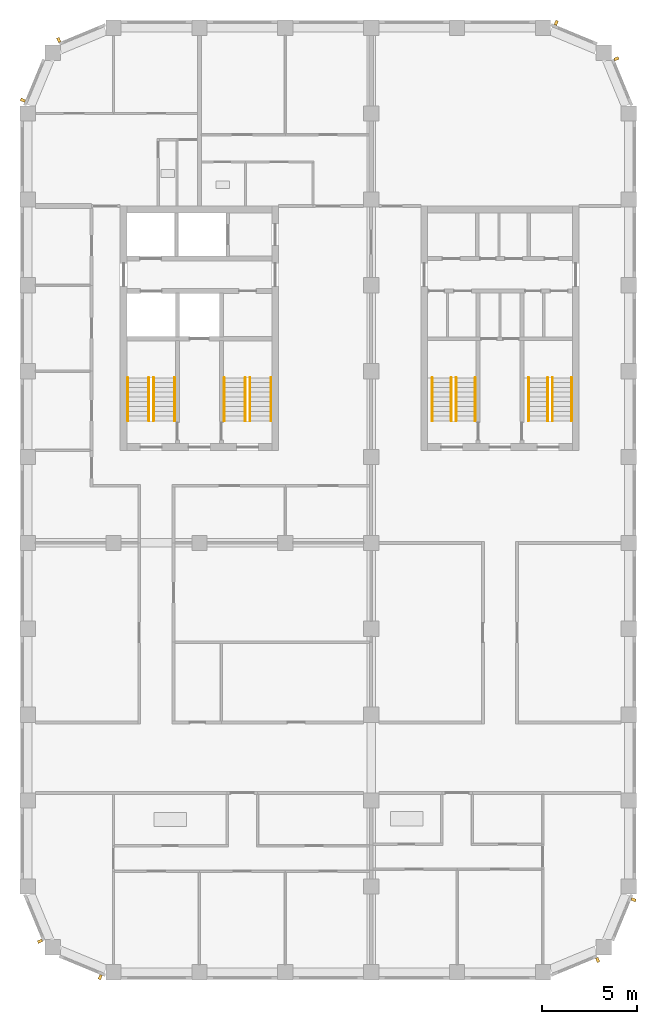
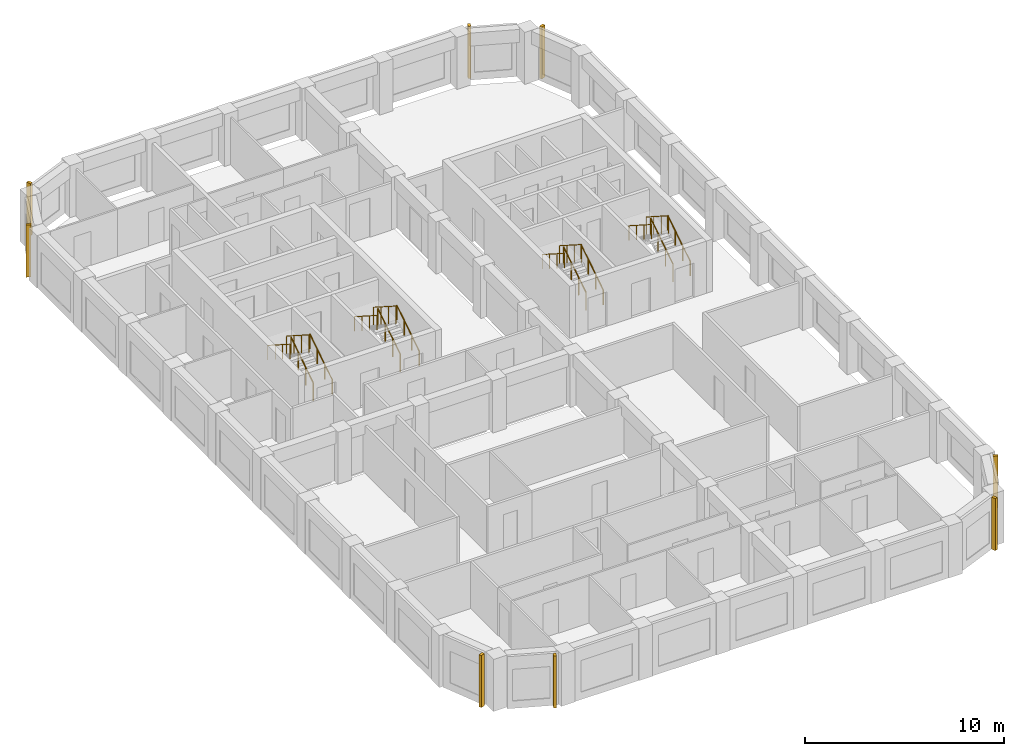
# One storey, part 9 of 10: 16 railings, 8 shading devices.
"""IFC4 building model written with IfcOpenShell, lengths in metres."""

from ifc_helpers import new_model, si_unit, direction, frame, origin, origin_2d, place, context, subcontext, project, spatial, rectangle, circle, extrude, material, type_object, element, save


model = new_model("IFC4")

# Units and contexts
model_context = context("Model", 3, precision=1e-05, world=origin(), true_north=direction((0.0, 1.0)))
body_context = subcontext(model_context, "Body", "Model", "MODEL_VIEW")
ifc_project = project(units=[si_unit("LENGTHUNIT", "METRE"), si_unit("AREAUNIT", "SQUARE_METRE"), si_unit("VOLUMEUNIT", "CUBIC_METRE"), si_unit("PLANEANGLEUNIT", "RADIAN"), si_unit("MASSUNIT", "GRAM", prefix="KILO")], contexts=[model_context])

# Site, building, storey
site_placement = place(None, origin())
site = spatial("IfcSite", under=ifc_project, at=site_placement, CompositionType="ELEMENT")
building_placement = place(site_placement, origin())
building = spatial("IfcBuilding", under=site, at=building_placement, Name="Girih Gate Residences", CompositionType="ELEMENT")
storey_placement = place(building_placement, frame((0.0, 0.0, 229.294921875)))
storey = spatial("IfcBuildingStorey", under=building, at=storey_placement, Name="L64", CompositionType="ELEMENT", Elevation=229.294921875)

# Shading devices
ifc_material_1 = material(Name="Precast concrete C50/60", Category="concrete")
shading_device_type = type_object("IfcShadingDeviceType", Name="Corner rib 150x250", PredefinedType="USERDEFINED", material=ifc_material_1)
for number, where, z_axis, x_axis, name in (
    (1, (29.867919921875, 0.646728515625, 0.0), (0.0, 0.0, 1.0), (0.923879532511, 0.382683432365, 0.0), "Corner rib SE0270_0000.0"),
    (2, (31.752685546875, 3.80322265625, 0.0), (0.0, 0.0, 1.0), (0.382683432365, 0.923879532511, 0.0), "Corner rib SE0302_0013.0"),
    (3, (30.853271484375, 47.867919921875, 0.0), (0.0, 0.0, 1.0), (-0.382683432365, 0.923879532511, 0.0), "Corner rib NE0315_0450.0"),
    (4, (27.69677734375, 49.752685546875, 0.0), (0.0, 0.0, 1.0), (-0.923879532511, 0.382683432365, 0.0), "Corner rib NE0302_0482.0"),
    (5, (1.632080078125, 48.853271484375, 0.0), (0.0, 0.0, 1.0), (-0.923879532511, -0.382683432365, 0.0), "Corner rib NW0045_0495.0"),
    (6, (-0.252685546875, 45.69677734375, 0.0), (0.0, 0.0, 1.0), (-0.382683432365, -0.923879532511, 0.0), "Corner rib NW0013_0482.0"),
    (7, (0.646728515625, 1.632080078125, 0.0), (0.0, 0.0, 1.0), (0.382683432365, -0.923879532511, 0.0), "Corner rib SW0000_0045.0"),
    (8, (3.80322265625, -0.252685546875, 0.0), (0.0, 0.0, 1.0), (0.923879532511, -0.382683432365, 0.0), "Corner rib SW0013_0013.0"),
):
    element("IfcShadingDevice", number, at=place(storey_placement, frame(where, z_axis=z_axis, x_axis=x_axis)), inside=storey, type_object=shading_device_type, Name=name, ObjectType="FIN", PredefinedType="USERDEFINED", context=body_context, shape_type="SweptSolid", body=[
        extrude(rectangle(XDim=0.14990234375, YDim=0.25, at=origin_2d()), origin(), (0.0, 0.0, 1.0), 3.199951171875),
    ])

# Railings
ifc_material_2 = material(Name="Stainless steel", Category="steel")
railing_type_1 = type_object("IfcRailingType", Name="Stair guard 1100", PredefinedType="GUARDRAIL", material=ifc_material_2)
railing_1_placement = place(storey_placement, frame((6.60009765625, 28.89990234375, 0.16015625)))
element("IfcRailing", 9, at=railing_1_placement, inside=storey, type_object=railing_type_1, Name="L64 ST-W1 stair guard 1", PredefinedType="GUARDRAIL", context=body_context, shape_type="SweptSolid", body=[
    extrude(circle(Radius=0.02392578125, at=origin_2d()), frame((0.0, 0.0, 1.076171875), z_axis=(0.0, 0.842281359387, 0.539038135598), x_axis=(-1.0, 0.0, 0.0)), (0.0, 0.0, 1.0), 2.67138671875),
    extrude(circle(Radius=0.02099609375, at=origin_2d()), origin(), (0.0, 0.0, 1.0), 1.052001953125),
    extrude(circle(Radius=0.02099609375, at=origin_2d()), frame((0.0, 0.75, 0.47998046875)), (0.0, 0.0, 1.0), 1.052001953125),
    extrude(circle(Radius=0.02099609375, at=origin_2d()), frame((0.0, 1.5, 0.9599609375)), (0.0, 0.0, 1.0), 1.052001953125),
    extrude(circle(Radius=0.02099609375, at=origin_2d()), frame((0.0, 2.25, 1.43994140625)), (0.0, 0.0, 1.0), 1.052001953125),
])
railing_2_placement = place(storey_placement, frame((6.35009765625, 31.14990234375, 1.760009765625)))
element("IfcRailing", 10, at=railing_2_placement, inside=storey, type_object=railing_type_1, Name="L64 ST-W1 stair guard 2", PredefinedType="GUARDRAIL", context=body_context, shape_type="SweptSolid", body=[
    extrude(circle(Radius=0.02392578125, at=origin_2d()), frame((0.0, 0.0, 1.076171875), z_axis=(0.0, -0.842239864353, 0.539102968731), x_axis=(1.0, 0.0, 0.0)), (0.0, 0.0, 1.0), 2.67138671875),
    extrude(circle(Radius=0.02099609375, at=origin_2d()), origin(), (0.0, 0.0, 1.0), 1.052001953125),
    extrude(circle(Radius=0.02099609375, at=origin_2d()), frame((0.0, -0.75, 0.47998046875)), (0.0, 0.0, 1.0), 1.052001953125),
    extrude(circle(Radius=0.02099609375, at=origin_2d()), frame((0.0, -1.5, 0.960205078125)), (0.0, 0.0, 1.0), 1.052001953125),
    extrude(circle(Radius=0.02099609375, at=origin_2d()), frame((0.0, -2.25, 1.440185546875)), (0.0, 0.0, 1.0), 1.052001953125),
])
railing_3_placement = place(storey_placement, frame((11.64990234375, 28.89990234375, 0.16015625)))
element("IfcRailing", 11, at=railing_3_placement, inside=storey, type_object=railing_type_1, Name="L64 ST-W2 stair guard 1", PredefinedType="GUARDRAIL", context=body_context, shape_type="SweptSolid", body=[
    extrude(circle(Radius=0.02392578125, at=origin_2d()), frame((0.0, 0.0, 1.076171875), z_axis=(0.0, 0.842281359387, 0.539038135598), x_axis=(-1.0, 0.0, 0.0)), (0.0, 0.0, 1.0), 2.67138671875),
    extrude(circle(Radius=0.02099609375, at=origin_2d()), origin(), (0.0, 0.0, 1.0), 1.052001953125),
    extrude(circle(Radius=0.02099609375, at=origin_2d()), frame((0.0, 0.75, 0.47998046875)), (0.0, 0.0, 1.0), 1.052001953125),
    extrude(circle(Radius=0.02099609375, at=origin_2d()), frame((0.0, 1.5, 0.9599609375)), (0.0, 0.0, 1.0), 1.052001953125),
    extrude(circle(Radius=0.02099609375, at=origin_2d()), frame((0.0, 2.25, 1.43994140625)), (0.0, 0.0, 1.0), 1.052001953125),
])
railing_4_placement = place(storey_placement, frame((11.39990234375, 31.14990234375, 1.760009765625)))
element("IfcRailing", 12, at=railing_4_placement, inside=storey, type_object=railing_type_1, Name="L64 ST-W2 stair guard 2", PredefinedType="GUARDRAIL", context=body_context, shape_type="SweptSolid", body=[
    extrude(circle(Radius=0.02392578125, at=origin_2d()), frame((0.0, 0.0, 1.076171875), z_axis=(0.0, -0.842239864353, 0.539102968731), x_axis=(1.0, 0.0, 0.0)), (0.0, 0.0, 1.0), 2.67138671875),
    extrude(circle(Radius=0.02099609375, at=origin_2d()), origin(), (0.0, 0.0, 1.0), 1.052001953125),
    extrude(circle(Radius=0.02099609375, at=origin_2d()), frame((0.0, -0.75, 0.47998046875)), (0.0, 0.0, 1.0), 1.052001953125),
    extrude(circle(Radius=0.02099609375, at=origin_2d()), frame((0.0, -1.5, 0.960205078125)), (0.0, 0.0, 1.0), 1.052001953125),
    extrude(circle(Radius=0.02099609375, at=origin_2d()), frame((0.0, -2.25, 1.440185546875)), (0.0, 0.0, 1.0), 1.052001953125),
])
railing_5_placement = place(storey_placement, frame((22.449951171875, 28.89990234375, 0.16015625)))
element("IfcRailing", 13, at=railing_5_placement, inside=storey, type_object=railing_type_1, Name="L64 ST-C1 stair guard 1", PredefinedType="GUARDRAIL", context=body_context, shape_type="SweptSolid", body=[
    extrude(circle(Radius=0.02392578125, at=origin_2d()), frame((0.0, 0.0, 1.076171875), z_axis=(0.0, 0.842281359387, 0.539038135598), x_axis=(-1.0, 0.0, 0.0)), (0.0, 0.0, 1.0), 2.67138671875),
    extrude(circle(Radius=0.02099609375, at=origin_2d()), origin(), (0.0, 0.0, 1.0), 1.052001953125),
    extrude(circle(Radius=0.02099609375, at=origin_2d()), frame((0.0, 0.75, 0.47998046875)), (0.0, 0.0, 1.0), 1.052001953125),
    extrude(circle(Radius=0.02099609375, at=origin_2d()), frame((0.0, 1.5, 0.9599609375)), (0.0, 0.0, 1.0), 1.052001953125),
    extrude(circle(Radius=0.02099609375, at=origin_2d()), frame((0.0, 2.25, 1.43994140625)), (0.0, 0.0, 1.0), 1.052001953125),
])
railing_6_placement = place(storey_placement, frame((22.199951171875, 31.14990234375, 1.760009765625)))
element("IfcRailing", 14, at=railing_6_placement, inside=storey, type_object=railing_type_1, Name="L64 ST-C1 stair guard 2", PredefinedType="GUARDRAIL", context=body_context, shape_type="SweptSolid", body=[
    extrude(circle(Radius=0.02392578125, at=origin_2d()), frame((0.0, 0.0, 1.076171875), z_axis=(0.0, -0.842239864353, 0.539102968731), x_axis=(1.0, 0.0, 0.0)), (0.0, 0.0, 1.0), 2.67138671875),
    extrude(circle(Radius=0.02099609375, at=origin_2d()), origin(), (0.0, 0.0, 1.0), 1.052001953125),
    extrude(circle(Radius=0.02099609375, at=origin_2d()), frame((0.0, -0.75, 0.47998046875)), (0.0, 0.0, 1.0), 1.052001953125),
    extrude(circle(Radius=0.02099609375, at=origin_2d()), frame((0.0, -1.5, 0.960205078125)), (0.0, 0.0, 1.0), 1.052001953125),
    extrude(circle(Radius=0.02099609375, at=origin_2d()), frame((0.0, -2.25, 1.440185546875)), (0.0, 0.0, 1.0), 1.052001953125),
])
railing_7_placement = place(storey_placement, frame((27.5, 28.89990234375, 0.16015625)))
element("IfcRailing", 15, at=railing_7_placement, inside=storey, type_object=railing_type_1, Name="L64 ST-C2 stair guard 1", PredefinedType="GUARDRAIL", context=body_context, shape_type="SweptSolid", body=[
    extrude(circle(Radius=0.02392578125, at=origin_2d()), frame((0.0, 0.0, 1.076171875), z_axis=(0.0, 0.842281359387, 0.539038135598), x_axis=(-1.0, 0.0, 0.0)), (0.0, 0.0, 1.0), 2.67138671875),
    extrude(circle(Radius=0.02099609375, at=origin_2d()), origin(), (0.0, 0.0, 1.0), 1.052001953125),
    extrude(circle(Radius=0.02099609375, at=origin_2d()), frame((0.0, 0.75, 0.47998046875)), (0.0, 0.0, 1.0), 1.052001953125),
    extrude(circle(Radius=0.02099609375, at=origin_2d()), frame((0.0, 1.5, 0.9599609375)), (0.0, 0.0, 1.0), 1.052001953125),
    extrude(circle(Radius=0.02099609375, at=origin_2d()), frame((0.0, 2.25, 1.43994140625)), (0.0, 0.0, 1.0), 1.052001953125),
])
railing_8_placement = place(storey_placement, frame((27.25, 31.14990234375, 1.760009765625)))
element("IfcRailing", 16, at=railing_8_placement, inside=storey, type_object=railing_type_1, Name="L64 ST-C2 stair guard 2", PredefinedType="GUARDRAIL", context=body_context, shape_type="SweptSolid", body=[
    extrude(circle(Radius=0.02392578125, at=origin_2d()), frame((0.0, 0.0, 1.076171875), z_axis=(0.0, -0.842239864353, 0.539102968731), x_axis=(1.0, 0.0, 0.0)), (0.0, 0.0, 1.0), 2.67138671875),
    extrude(circle(Radius=0.02099609375, at=origin_2d()), origin(), (0.0, 0.0, 1.0), 1.052001953125),
    extrude(circle(Radius=0.02099609375, at=origin_2d()), frame((0.0, -0.75, 0.47998046875)), (0.0, 0.0, 1.0), 1.052001953125),
    extrude(circle(Radius=0.02099609375, at=origin_2d()), frame((0.0, -1.5, 0.960205078125)), (0.0, 0.0, 1.0), 1.052001953125),
    extrude(circle(Radius=0.02099609375, at=origin_2d()), frame((0.0, -2.25, 1.440185546875)), (0.0, 0.0, 1.0), 1.052001953125),
])
railing_type_2 = type_object("IfcRailingType", Name="Stair handrail 900", PredefinedType="HANDRAIL", material=ifc_material_2)
railing_9_placement = place(storey_placement, frame((7.699951171875, 28.89990234375, 0.16015625)))
element("IfcRailing", 17, at=railing_9_placement, inside=storey, type_object=railing_type_2, Name="L64 ST-W1 stair handrail 1", PredefinedType="HANDRAIL", context=body_context, shape_type="SweptSolid", body=[
    extrude(circle(Radius=0.02392578125, at=origin_2d()), frame((0.0, 0.0, 0.8857421875), z_axis=(0.0, 0.842281359387, 0.539038135598), x_axis=(-1.0, 0.0, 0.0)), (0.0, 0.0, 1.0), 2.67138671875),
    extrude(circle(Radius=0.02099609375, at=origin_2d()), origin(), (0.0, 0.0, 1.0), 0.86181640625),
    extrude(circle(Radius=0.02099609375, at=origin_2d()), frame((0.0, 0.75, 0.47998046875)), (0.0, 0.0, 1.0), 0.86181640625),
    extrude(circle(Radius=0.02099609375, at=origin_2d()), frame((0.0, 1.5, 0.9599609375)), (0.0, 0.0, 1.0), 0.86181640625),
    extrude(circle(Radius=0.02099609375, at=origin_2d()), frame((0.0, 2.25, 1.43994140625)), (0.0, 0.0, 1.0), 0.86181640625),
])
railing_10_placement = place(storey_placement, frame((5.25, 31.14990234375, 1.760009765625)))
element("IfcRailing", 18, at=railing_10_placement, inside=storey, type_object=railing_type_2, Name="L64 ST-W1 stair handrail 2", PredefinedType="HANDRAIL", context=body_context, shape_type="SweptSolid", body=[
    extrude(circle(Radius=0.02392578125, at=origin_2d()), frame((0.0, 0.0, 0.8857421875), z_axis=(0.0, -0.842239864353, 0.539102968731), x_axis=(1.0, 0.0, 0.0)), (0.0, 0.0, 1.0), 2.67138671875),
    extrude(circle(Radius=0.02099609375, at=origin_2d()), origin(), (0.0, 0.0, 1.0), 0.86181640625),
    extrude(circle(Radius=0.02099609375, at=origin_2d()), frame((0.0, -0.75, 0.47998046875)), (0.0, 0.0, 1.0), 0.86181640625),
    extrude(circle(Radius=0.02099609375, at=origin_2d()), frame((0.0, -1.5, 0.960205078125)), (0.0, 0.0, 1.0), 0.86181640625),
    extrude(circle(Radius=0.02099609375, at=origin_2d()), frame((0.0, -2.25, 1.440185546875)), (0.0, 0.0, 1.0), 0.86181640625),
])
railing_11_placement = place(storey_placement, frame((12.75, 28.89990234375, 0.16015625)))
element("IfcRailing", 19, at=railing_11_placement, inside=storey, type_object=railing_type_2, Name="L64 ST-W2 stair handrail 1", PredefinedType="HANDRAIL", context=body_context, shape_type="SweptSolid", body=[
    extrude(circle(Radius=0.02392578125, at=origin_2d()), frame((0.0, 0.0, 0.8857421875), z_axis=(0.0, 0.842281359387, 0.539038135598), x_axis=(-1.0, 0.0, 0.0)), (0.0, 0.0, 1.0), 2.67138671875),
    extrude(circle(Radius=0.02099609375, at=origin_2d()), origin(), (0.0, 0.0, 1.0), 0.86181640625),
    extrude(circle(Radius=0.02099609375, at=origin_2d()), frame((0.0, 0.75, 0.47998046875)), (0.0, 0.0, 1.0), 0.86181640625),
    extrude(circle(Radius=0.02099609375, at=origin_2d()), frame((0.0, 1.5, 0.9599609375)), (0.0, 0.0, 1.0), 0.86181640625),
    extrude(circle(Radius=0.02099609375, at=origin_2d()), frame((0.0, 2.25, 1.43994140625)), (0.0, 0.0, 1.0), 0.86181640625),
])
railing_12_placement = place(storey_placement, frame((10.300048828125, 31.14990234375, 1.760009765625)))
element("IfcRailing", 20, at=railing_12_placement, inside=storey, type_object=railing_type_2, Name="L64 ST-W2 stair handrail 2", PredefinedType="HANDRAIL", context=body_context, shape_type="SweptSolid", body=[
    extrude(circle(Radius=0.02392578125, at=origin_2d()), frame((0.0, 0.0, 0.8857421875), z_axis=(0.0, -0.842239864353, 0.539102968731), x_axis=(1.0, 0.0, 0.0)), (0.0, 0.0, 1.0), 2.67138671875),
    extrude(circle(Radius=0.02099609375, at=origin_2d()), origin(), (0.0, 0.0, 1.0), 0.86181640625),
    extrude(circle(Radius=0.02099609375, at=origin_2d()), frame((0.0, -0.75, 0.47998046875)), (0.0, 0.0, 1.0), 0.86181640625),
    extrude(circle(Radius=0.02099609375, at=origin_2d()), frame((0.0, -1.5, 0.960205078125)), (0.0, 0.0, 1.0), 0.86181640625),
    extrude(circle(Radius=0.02099609375, at=origin_2d()), frame((0.0, -2.25, 1.440185546875)), (0.0, 0.0, 1.0), 0.86181640625),
])
railing_13_placement = place(storey_placement, frame((23.449951171875, 28.89990234375, 0.16015625)))
element("IfcRailing", 21, at=railing_13_placement, inside=storey, type_object=railing_type_2, Name="L64 ST-C1 stair handrail 1", PredefinedType="HANDRAIL", context=body_context, shape_type="SweptSolid", body=[
    extrude(circle(Radius=0.02392578125, at=origin_2d()), frame((0.0, 0.0, 0.8857421875), z_axis=(0.0, 0.842281359387, 0.539038135598), x_axis=(-1.0, 0.0, 0.0)), (0.0, 0.0, 1.0), 2.67138671875),
    extrude(circle(Radius=0.02099609375, at=origin_2d()), origin(), (0.0, 0.0, 1.0), 0.86181640625),
    extrude(circle(Radius=0.02099609375, at=origin_2d()), frame((0.0, 0.75, 0.47998046875)), (0.0, 0.0, 1.0), 0.86181640625),
    extrude(circle(Radius=0.02099609375, at=origin_2d()), frame((0.0, 1.5, 0.9599609375)), (0.0, 0.0, 1.0), 0.86181640625),
    extrude(circle(Radius=0.02099609375, at=origin_2d()), frame((0.0, 2.25, 1.43994140625)), (0.0, 0.0, 1.0), 0.86181640625),
])
railing_14_placement = place(storey_placement, frame((21.199951171875, 31.14990234375, 1.760009765625)))
element("IfcRailing", 22, at=railing_14_placement, inside=storey, type_object=railing_type_2, Name="L64 ST-C1 stair handrail 2", PredefinedType="HANDRAIL", context=body_context, shape_type="SweptSolid", body=[
    extrude(circle(Radius=0.02392578125, at=origin_2d()), frame((0.0, 0.0, 0.8857421875), z_axis=(0.0, -0.842239864353, 0.539102968731), x_axis=(1.0, 0.0, 0.0)), (0.0, 0.0, 1.0), 2.67138671875),
    extrude(circle(Radius=0.02099609375, at=origin_2d()), origin(), (0.0, 0.0, 1.0), 0.86181640625),
    extrude(circle(Radius=0.02099609375, at=origin_2d()), frame((0.0, -0.75, 0.47998046875)), (0.0, 0.0, 1.0), 0.86181640625),
    extrude(circle(Radius=0.02099609375, at=origin_2d()), frame((0.0, -1.5, 0.960205078125)), (0.0, 0.0, 1.0), 0.86181640625),
    extrude(circle(Radius=0.02099609375, at=origin_2d()), frame((0.0, -2.25, 1.440185546875)), (0.0, 0.0, 1.0), 0.86181640625),
])
railing_15_placement = place(storey_placement, frame((28.5, 28.89990234375, 0.16015625)))
element("IfcRailing", 23, at=railing_15_placement, inside=storey, type_object=railing_type_2, Name="L64 ST-C2 stair handrail 1", PredefinedType="HANDRAIL", context=body_context, shape_type="SweptSolid", body=[
    extrude(circle(Radius=0.02392578125, at=origin_2d()), frame((0.0, 0.0, 0.8857421875), z_axis=(0.0, 0.842281359387, 0.539038135598), x_axis=(-1.0, 0.0, 0.0)), (0.0, 0.0, 1.0), 2.67138671875),
    extrude(circle(Radius=0.02099609375, at=origin_2d()), origin(), (0.0, 0.0, 1.0), 0.86181640625),
    extrude(circle(Radius=0.02099609375, at=origin_2d()), frame((0.0, 0.75, 0.47998046875)), (0.0, 0.0, 1.0), 0.86181640625),
    extrude(circle(Radius=0.02099609375, at=origin_2d()), frame((0.0, 1.5, 0.9599609375)), (0.0, 0.0, 1.0), 0.86181640625),
    extrude(circle(Radius=0.02099609375, at=origin_2d()), frame((0.0, 2.25, 1.43994140625)), (0.0, 0.0, 1.0), 0.86181640625),
])
railing_16_placement = place(storey_placement, frame((26.25, 31.14990234375, 1.760009765625)))
element("IfcRailing", 24, at=railing_16_placement, inside=storey, type_object=railing_type_2, Name="L64 ST-C2 stair handrail 2", PredefinedType="HANDRAIL", context=body_context, shape_type="SweptSolid", body=[
    extrude(circle(Radius=0.02392578125, at=origin_2d()), frame((0.0, 0.0, 0.8857421875), z_axis=(0.0, -0.842239864353, 0.539102968731), x_axis=(1.0, 0.0, 0.0)), (0.0, 0.0, 1.0), 2.67138671875),
    extrude(circle(Radius=0.02099609375, at=origin_2d()), origin(), (0.0, 0.0, 1.0), 0.86181640625),
    extrude(circle(Radius=0.02099609375, at=origin_2d()), frame((0.0, -0.75, 0.47998046875)), (0.0, 0.0, 1.0), 0.86181640625),
    extrude(circle(Radius=0.02099609375, at=origin_2d()), frame((0.0, -1.5, 0.960205078125)), (0.0, 0.0, 1.0), 0.86181640625),
    extrude(circle(Radius=0.02099609375, at=origin_2d()), frame((0.0, -2.25, 1.440185546875)), (0.0, 0.0, 1.0), 0.86181640625),
])

save(model, "model.ifc")
